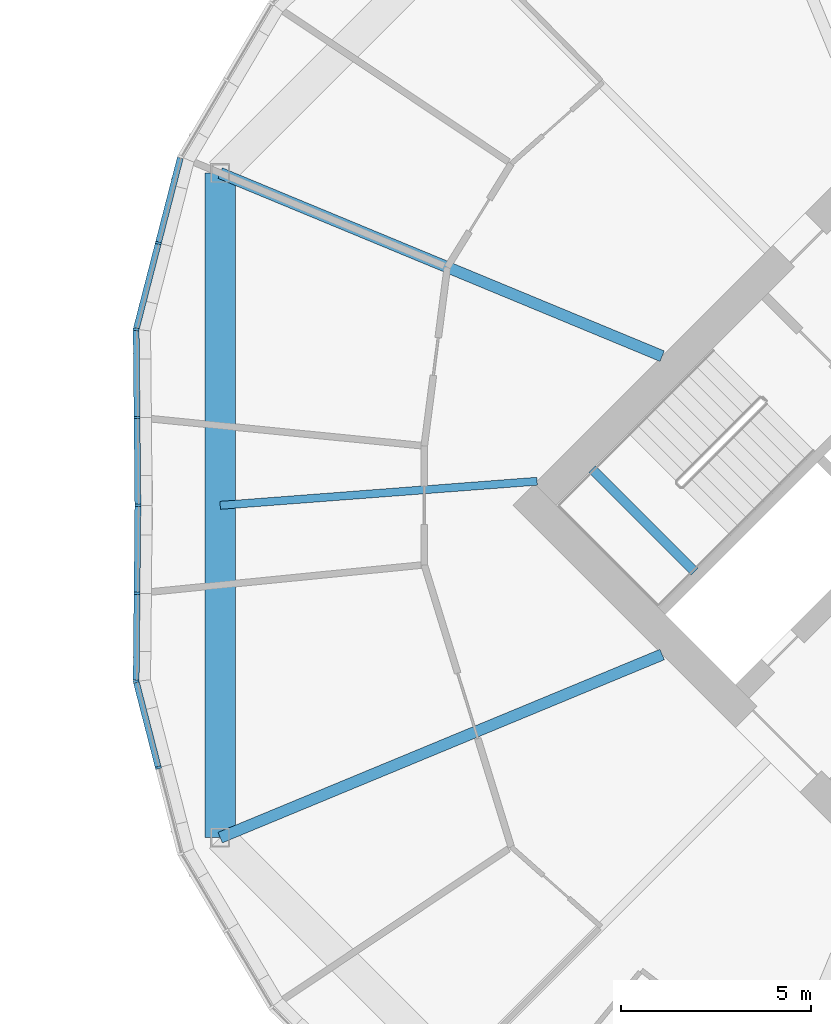
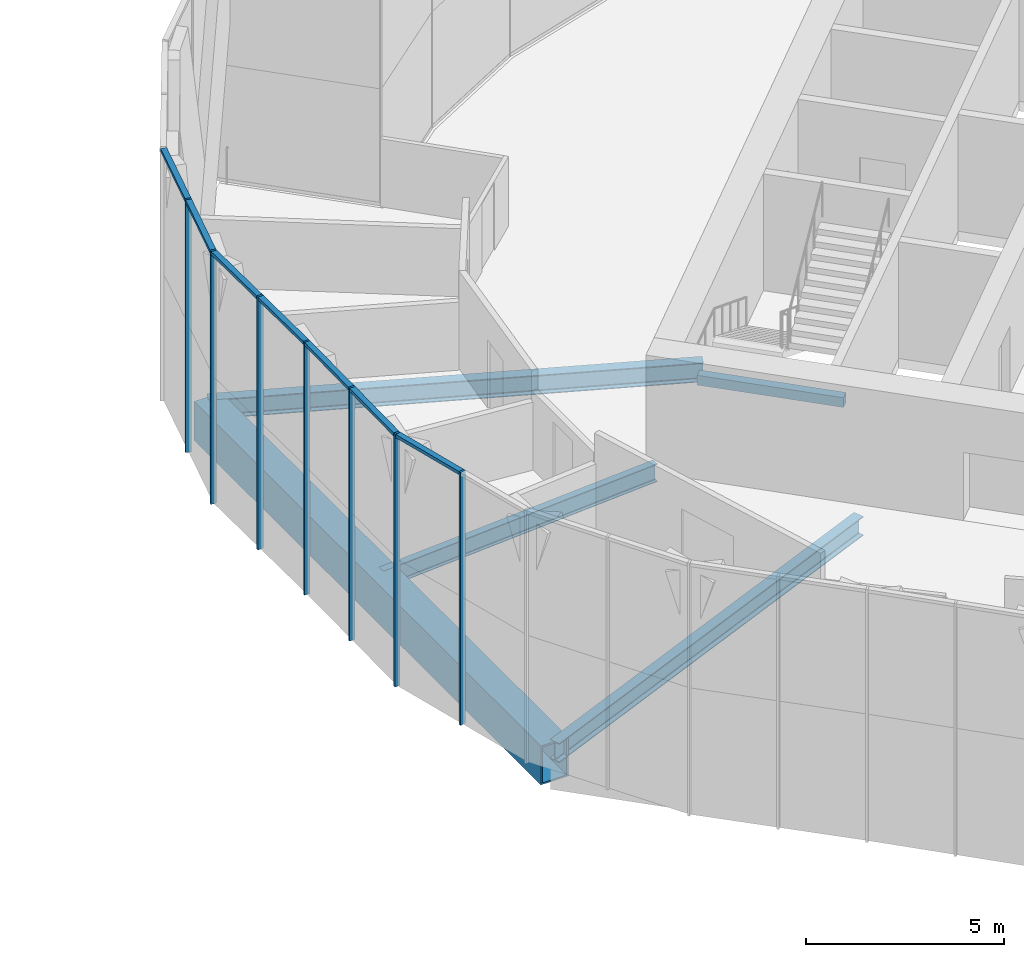
# One storey, part 12 of 31: 14 members, 5 beams, 2 elements without a shape of their own.
"""IFC4 building model written with IfcOpenShell, lengths in metres."""

from ifc_helpers import new_model, si_unit, direction, frame, origin, origin_2d, place, context, subcontext, project, spatial, rectangle, hollow_rectangle, i_section, extrude, material, material_profile, profile_set, type_object, element, aggregate, save


model = new_model("IFC4")

# Units and contexts
model_context = context("Model", 3, precision=1e-05, world=origin(), true_north=direction((0.0, 1.0)))
body_context = subcontext(model_context, "Body", "Model", "MODEL_VIEW")
ifc_project = project(units=[si_unit("LENGTHUNIT", "METRE"), si_unit("AREAUNIT", "SQUARE_METRE"), si_unit("VOLUMEUNIT", "CUBIC_METRE"), si_unit("PLANEANGLEUNIT", "RADIAN"), si_unit("MASSUNIT", "GRAM", prefix="KILO")], contexts=[model_context])

# Site, building, storey
site_placement = place(None, origin())
site = spatial("IfcSite", under=ifc_project, at=site_placement, CompositionType="ELEMENT")
building_placement = place(site_placement, origin())
building = spatial("IfcBuilding", under=site, at=building_placement, Name="Ogive Gate Towers", CompositionType="ELEMENT")
storey_placement = place(building_placement, frame((0.0, 0.0, 63.60009765625)))
storey = spatial("IfcBuildingStorey", under=building, at=storey_placement, Name="L14", CompositionType="ELEMENT", Elevation=63.60009765625)

# Beams
ifc_material_1 = material(Name="Steel SM460", Category="steel")
ifc_material_profile_1 = material_profile(ifc_material_1, hollow_rectangle(XDim=0.800048828125, YDim=1.199951171875, WallThickness=0.050048828125, at=origin_2d()), Name="BX 1200x800x50")
ifc_profile_set_1 = profile_set([ifc_material_profile_1], Name="Steel SM460")
beam_type_1 = type_object("IfcBeamType", Name="Edge girder BX 1200x800x50", PredefinedType="BEAM", material=ifc_profile_set_1)
beam_1_placement = place(storey_placement, frame((14.84326171875, 8.763427734375, -0.900146484375), z_axis=(0.0, -1.0, 0.0), x_axis=(1.0, 0.0, 0.0)))
element("IfcBeam", 1, at=beam_1_placement, inside=storey, type_object=beam_type_1, Name="T2/L14/SBM024", PredefinedType="BEAM", context=body_context, shape_type="SweptSolid", body=[
    extrude(hollow_rectangle(XDim=0.800048828125, YDim=1.199951171875, WallThickness=0.050048828125, at=origin_2d()), origin(), (0.0, 0.0, 1.0), 17.52685546875),
])
ifc_material_2 = material(Name="Concrete C40/50", Category="concrete")
ifc_material_profile_2 = material_profile(ifc_material_2, rectangle(XDim=0.25, YDim=0.300048828125, at=origin_2d()), Name="RC 250x300")
ifc_profile_set_2 = profile_set([ifc_material_profile_2], Name="Concrete C40/50")
beam_type_2 = type_object("IfcBeamType", Name="Landing bearer RC 250x300", PredefinedType="BEAM", material=ifc_profile_set_2)
beam_2_placement = place(storey_placement, frame((24.650390625, 0.9541015625, 1.599853515625), z_axis=(0.707106781187, -0.707106781187, 0.0), x_axis=(0.707106781187, 0.707106781187, 0.0)))
element("IfcBeam", 2, at=beam_2_placement, inside=storey, type_object=beam_type_2, Name="T2 L14 stair 1 landing bearer 1", PredefinedType="BEAM", context=body_context, shape_type="SweptSolid", body=[
    extrude(rectangle(XDim=0.25, YDim=0.300048828125, at=origin_2d()), origin(), (0.0, 0.0, 1.0), 3.824951171875),
])
ifc_material_3 = material(Name="Steel SM355", Category="steel")
ifc_material_profile_3 = material_profile(ifc_material_3, i_section(OverallWidth=0.300048828125, OverallDepth=0.590087890625, WebThickness=0.012939453125, FlangeThickness=0.02490234375, FilletRadius=0.027099609375, at=origin_2d()), Name="HE 600 A")
ifc_profile_set_3 = profile_set([ifc_material_profile_3], Name="Steel SM355")
beam_type_3 = type_object("IfcBeamType", Name="Radial floor beam HE 600 A", PredefinedType="BEAM", material=ifc_profile_set_3)
for number, where, z_axis, x_axis, name in (
    (3, (26.5, -3.93505859375, -0.59521484375), (-0.923879811284, -0.382682759347, 0.0), (0.382682759347, -0.923879811284, 0.0), "T2/L14/SBM001"),
    (4, (26.5, 3.93505859375, -0.59521484375), (-0.923879811284, 0.382682759347, 0.0), (-0.382682759347, -0.923879811284, 0.0), "T2/L14/SBM015"),
):
    element("IfcBeam", number, at=place(storey_placement, frame(where, z_axis=z_axis, x_axis=x_axis)), inside=storey, type_object=beam_type_3, Name=name, PredefinedType="BEAM", context=body_context, shape_type="SweptSolid", body=[
        extrude(i_section(OverallWidth=0.300048828125, OverallDepth=0.590087890625, WebThickness=0.012939453125, FlangeThickness=0.02490234375, FilletRadius=0.027099609375, at=origin_2d()), origin(), (0.0, 0.0, 1.0), 12.6171875),
    ])
ifc_material_profile_4 = material_profile(ifc_material_3, i_section(OverallWidth=0.2099609375, OverallDepth=0.550048828125, WebThickness=0.010986328125, FlangeThickness=0.01708984375, FilletRadius=0.02392578125, at=origin_2d()), Name="IPE 550")
ifc_profile_set_4 = profile_set([ifc_material_profile_4], Name="Steel SM355")
beam_type_4 = type_object("IfcBeamType", Name="Radial floor beam IPE 550", PredefinedType="BEAM", material=ifc_profile_set_4)
beam_3_placement = place(storey_placement, frame((23.201416015625, 0.636474609375, -0.5751953125), z_axis=(-0.997113127526, -0.075930303007, 0.0), x_axis=(0.075930303007, -0.997113127526, 0.0)))
element("IfcBeam", 5, at=beam_3_placement, inside=storey, type_object=beam_type_4, Name="T2/L14/SBM016", PredefinedType="BEAM", context=body_context, shape_type="SweptSolid", body=[
    extrude(i_section(OverallWidth=0.2099609375, OverallDepth=0.550048828125, WebThickness=0.010986328125, FlangeThickness=0.01708984375, FilletRadius=0.02392578125, at=origin_2d()), origin(), (0.0, 0.0, 1.0), 8.38232421875),
])

# Curtain wall, members
ifc_material_4 = material(Name="Pale metal aluminium", Category="aluminium")
curtain_wall_type = type_object("IfcCurtainWallType", Name="Tower unitised wall, low zone", PredefinedType="NOTDEFINED", material=ifc_material_4)
curtain_wall_1_placement = place(storey_placement, origin())
curtain_wall_1 = element("IfcCurtainWall", 6, at=curtain_wall_1_placement, inside=storey, type_object=curtain_wall_type, Name="CW1 T2 ECW05", PredefinedType="NOTDEFINED")
ifc_material_profile_5 = material_profile(ifc_material_4, rectangle(XDim=0.159912109375, YDim=0.06005859375, at=origin_2d()), Name="60 x 160 aluminium box")
ifc_profile_set_5 = profile_set([ifc_material_profile_5], Name="Pale metal aluminium")
member_type_1 = type_object("IfcMemberType", Name="Tower unitised wall, low zone mullion 60 x 160", PredefinedType="MULLION", material=ifc_profile_set_5)
member_1_placement = place(storey_placement, frame((12.669921875, -0.000244140625, -0.300048828125), z_axis=(0.0, 0.0, 1.0), x_axis=(0.99995375928, 0.009616615949, 0.0)))
member_1 = element("IfcMember", 7, at=member_1_placement, type_object=member_type_1, Name="CW1 mullion", PredefinedType="MULLION", context=body_context, shape_type="SweptSolid", body=[
    extrude(rectangle(XDim=0.159912109375, YDim=0.06005859375, at=origin_2d()), origin(), (0.0, 0.0, 1.0), 7.800048828125),
])
member_2_placement = place(storey_placement, frame((12.647705078125, 2.318603515625, -0.300048828125), z_axis=(0.0, 0.0, 1.0), x_axis=(0.999953926969, 0.009599163462, 0.0)))
member_2 = element("IfcMember", 8, at=member_2_placement, type_object=member_type_1, Name="CW1 mullion", PredefinedType="MULLION", context=body_context, shape_type="SweptSolid", body=[
    extrude(rectangle(XDim=0.159912109375, YDim=0.06005859375, at=origin_2d()), origin(), (0.0, 0.0, 1.0), 7.800048828125),
])
member_3_placement = place(storey_placement, frame((12.62548828125, 4.64013671875, -0.300048828125), z_axis=(0.0, 0.0, 1.0), x_axis=(0.992669010308, -0.120864535632, 0.0)))
member_3 = element("IfcMember", 9, at=member_3_placement, type_object=member_type_1, Name="CW1 mullion", PredefinedType="MULLION", context=body_context, shape_type="SweptSolid", body=[
    extrude(rectangle(XDim=0.159912109375, YDim=0.06005859375, at=origin_2d()), origin(), (0.0, 0.0, 1.0), 7.800048828125),
])
member_4_placement = place(storey_placement, frame((13.211669921875, 6.918212890625, -0.300048828125), z_axis=(0.0, 0.0, 1.0), x_axis=(0.968439765391, -0.249247709738, 0.0)))
member_4 = element("IfcMember", 10, at=member_4_placement, type_object=member_type_1, Name="CW1 mullion", PredefinedType="MULLION", context=body_context, shape_type="SweptSolid", body=[
    extrude(rectangle(XDim=0.159912109375, YDim=0.06005859375, at=origin_2d()), origin(), (0.0, 0.0, 1.0), 7.800048828125),
])

curtain_wall_2_placement = place(storey_placement, origin())
curtain_wall_2 = element("IfcCurtainWall", 11, at=curtain_wall_2_placement, inside=storey, type_object=curtain_wall_type, Name="CW1 T2 ECW06", PredefinedType="NOTDEFINED")
member_5_placement = place(storey_placement, frame((13.211669921875, -6.918212890625, -0.300048828125), z_axis=(0.0, 0.0, 1.0), x_axis=(0.968439765391, 0.249247709738, 0.0)))
member_5 = element("IfcMember", 12, at=member_5_placement, type_object=member_type_1, Name="CW1 mullion", PredefinedType="MULLION", context=body_context, shape_type="SweptSolid", body=[
    extrude(rectangle(XDim=0.159912109375, YDim=0.06005859375, at=origin_2d()), origin(), (0.0, 0.0, 1.0), 7.800048828125),
])
member_6_placement = place(storey_placement, frame((12.62548828125, -4.64013671875, -0.300048828125), z_axis=(0.0, 0.0, 1.0), x_axis=(0.992669010308, 0.120864535632, 0.0)))
member_6 = element("IfcMember", 13, at=member_6_placement, type_object=member_type_1, Name="CW1 mullion", PredefinedType="MULLION", context=body_context, shape_type="SweptSolid", body=[
    extrude(rectangle(XDim=0.159912109375, YDim=0.06005859375, at=origin_2d()), origin(), (0.0, 0.0, 1.0), 7.800048828125),
])
member_7_placement = place(storey_placement, frame((12.647705078125, -2.318603515625, -0.300048828125), z_axis=(0.0, 0.0, 1.0), x_axis=(0.999953926969, -0.009599163462, 0.0)))
member_7 = element("IfcMember", 14, at=member_7_placement, type_object=member_type_1, Name="CW1 mullion", PredefinedType="MULLION", context=body_context, shape_type="SweptSolid", body=[
    extrude(rectangle(XDim=0.159912109375, YDim=0.06005859375, at=origin_2d()), origin(), (0.0, 0.0, 1.0), 7.800048828125),
])

# Member
ifc_material_profile_6 = material_profile(ifc_material_4, rectangle(XDim=0.159912109375, YDim=0.10009765625, at=origin_2d()), Name="100 x 160 aluminium box")
ifc_profile_set_6 = profile_set([ifc_material_profile_6], Name="Pale metal aluminium")
member_type_2 = type_object("IfcMemberType", Name="Tower unitised wall, low zone transom 100 x 160", PredefinedType="USERDEFINED", material=ifc_profile_set_6)
member_8_placement = place(storey_placement, frame((12.669677734375, 0.02978515625, 7.449951171875), z_axis=(-0.009618057208, 0.999953745418, 0.0), x_axis=(-0.999953745418, -0.009618057208, 0.0)))
member_8 = element("IfcMember", 15, at=member_8_placement, type_object=member_type_2, Name="CW1 transom", ObjectType="TRANSOM", PredefinedType="USERDEFINED", context=body_context, shape_type="SweptSolid", body=[
    extrude(rectangle(XDim=0.159912109375, YDim=0.10009765625, at=origin_2d()), origin(), (0.0, 0.0, 1.0), 2.259033203125),
])

member_9_placement = place(storey_placement, frame((12.6474609375, 2.3486328125, 7.449951171875), z_axis=(-0.009618057208, 0.999953745418, 0.0), x_axis=(-0.999953745418, -0.009618057208, 0.0)))
member_9 = element("IfcMember", 16, at=member_9_placement, type_object=member_type_2, Name="CW1 transom", ObjectType="TRANSOM", PredefinedType="USERDEFINED", context=body_context, shape_type="SweptSolid", body=[
    extrude(rectangle(XDim=0.159912109375, YDim=0.10009765625, at=origin_2d()), origin(), (0.0, 0.0, 1.0), 2.259033203125),
])

member_10_placement = place(storey_placement, frame((12.633544921875, 4.671875, 7.449951171875), z_axis=(0.249303934712, 0.968425293008, 0.0), x_axis=(-0.968425293008, 0.249303934712, 0.0)))
member_10 = element("IfcMember", 17, at=member_10_placement, type_object=member_type_2, Name="CW1 transom", ObjectType="TRANSOM", PredefinedType="USERDEFINED", context=body_context, shape_type="SweptSolid", body=[
    extrude(rectangle(XDim=0.159912109375, YDim=0.10009765625, at=origin_2d()), origin(), (0.0, 0.0, 1.0), 2.28955078125),
])

member_11_placement = place(storey_placement, frame((13.21923828125, 6.947265625, 7.449951171875), z_axis=(0.249203926839, 0.968451032757, 0.0), x_axis=(-0.968451032757, 0.249203926839, 0.0)))
member_11 = element("IfcMember", 18, at=member_11_placement, type_object=member_type_2, Name="CW1 transom", ObjectType="TRANSOM", PredefinedType="USERDEFINED", context=body_context, shape_type="SweptSolid", body=[
    extrude(rectangle(XDim=0.159912109375, YDim=0.10009765625, at=origin_2d()), origin(), (0.0, 0.0, 1.0), 2.28955078125),
])

aggregate(curtain_wall_1, [member_1, member_2, member_8, member_3, member_9, member_4, member_10, member_11])

member_12_placement = place(storey_placement, frame((13.204345703125, -6.88916015625, 7.449951171875), z_axis=(-0.249303934712, 0.968425293008, 0.0), x_axis=(-0.968425293008, -0.249303934712, 0.0)))
member_12 = element("IfcMember", 19, at=member_12_placement, type_object=member_type_2, Name="CW1 transom", ObjectType="TRANSOM", PredefinedType="USERDEFINED", context=body_context, shape_type="SweptSolid", body=[
    extrude(rectangle(XDim=0.159912109375, YDim=0.10009765625, at=origin_2d()), origin(), (0.0, 0.0, 1.0), 2.28955078125),
])

member_13_placement = place(storey_placement, frame((12.625732421875, -4.607666015625, 7.449951171875), z_axis=(0.009618057208, 0.999953745418, 0.0), x_axis=(-0.999953745418, 0.009618057208, 0.0)))
member_13 = element("IfcMember", 20, at=member_13_placement, type_object=member_type_2, Name="CW1 transom", ObjectType="TRANSOM", PredefinedType="USERDEFINED", context=body_context, shape_type="SweptSolid", body=[
    extrude(rectangle(XDim=0.159912109375, YDim=0.10009765625, at=origin_2d()), origin(), (0.0, 0.0, 1.0), 2.259033203125),
])

member_14_placement = place(storey_placement, frame((12.64794921875, -2.288818359375, 7.449951171875), z_axis=(0.009618057208, 0.999953745418, 0.0), x_axis=(-0.999953745418, 0.009618057208, 0.0)))
member_14 = element("IfcMember", 21, at=member_14_placement, type_object=member_type_2, Name="CW1 transom", ObjectType="TRANSOM", PredefinedType="USERDEFINED", context=body_context, shape_type="SweptSolid", body=[
    extrude(rectangle(XDim=0.159912109375, YDim=0.10009765625, at=origin_2d()), origin(), (0.0, 0.0, 1.0), 2.259033203125),
])

aggregate(curtain_wall_2, [member_5, member_6, member_12, member_7, member_13, member_14])

save(model, "model.ifc")
